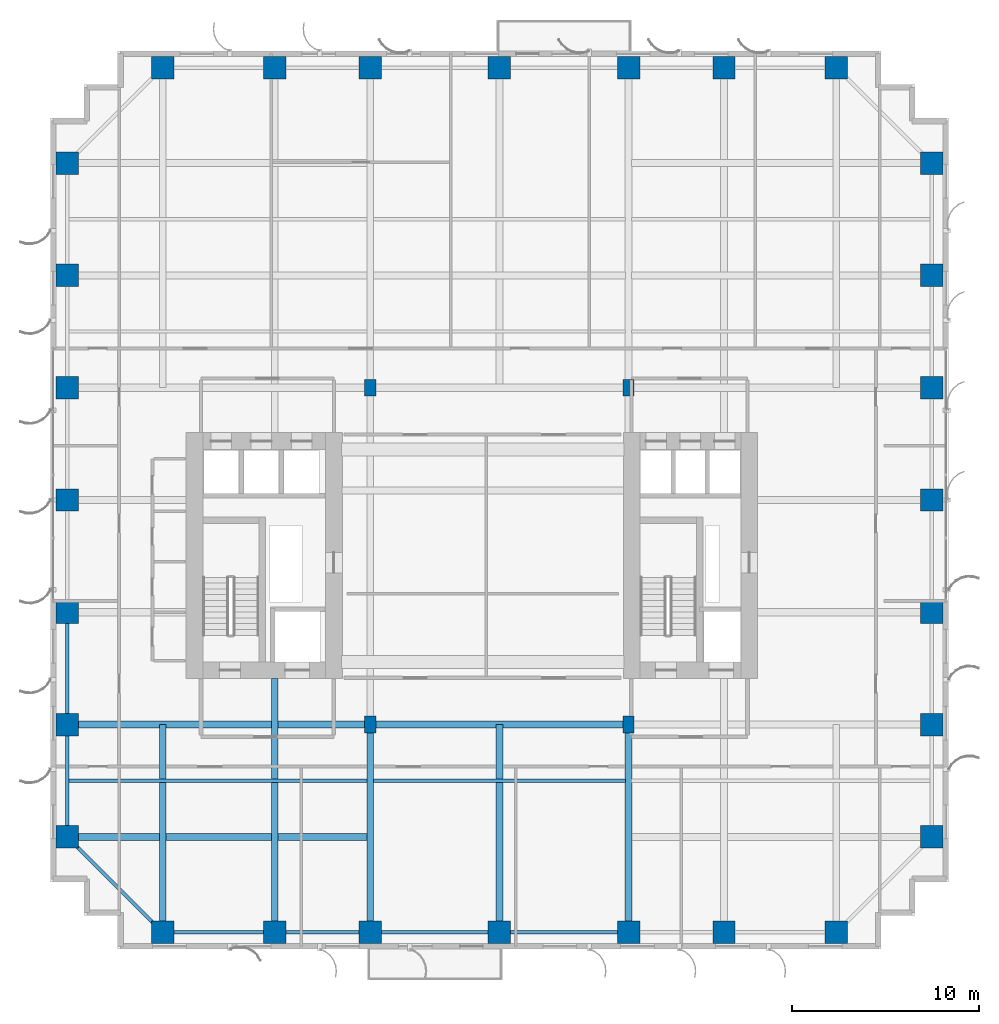
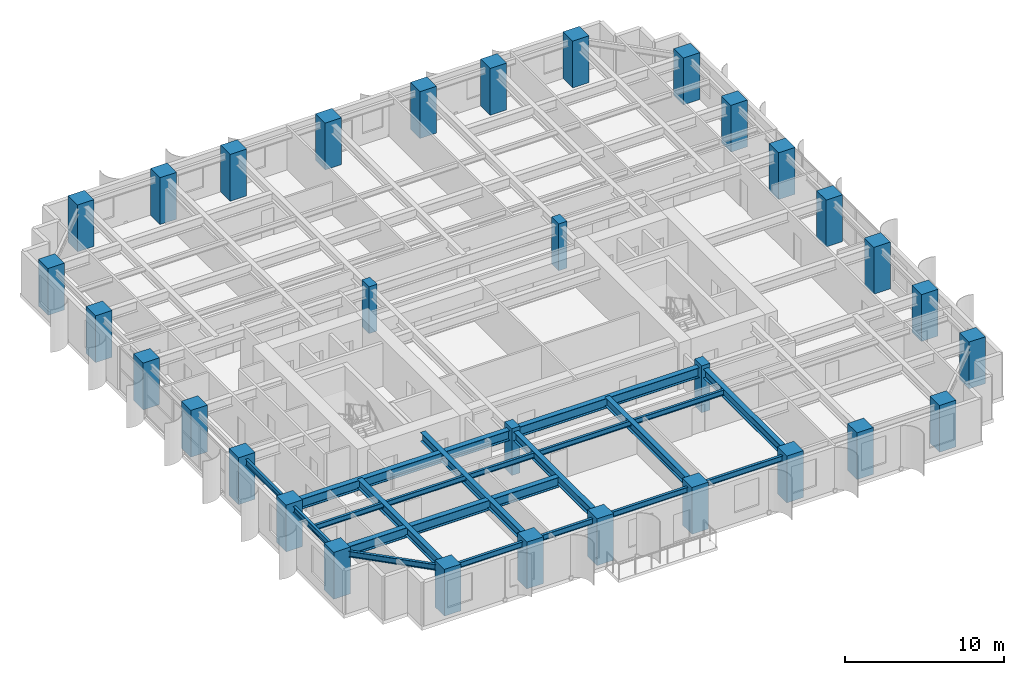
# One storey, part 1 of 16: 32 columns, 17 beams.
"""IFC4 building model written with IfcOpenShell, lengths in metres."""

from ifc_helpers import new_model, si_unit, direction, frame, origin, origin_2d, place, context, subcontext, project, spatial, rectangle, i_section, extrude, source, transform, mapped, material, material_profile, profile_set, type_object, element, save


model = new_model("IFC4")

# Units and contexts
model_context = context("Model", 3, precision=1e-05, world=origin(), true_north=direction((0.0, 1.0)))
body_context = subcontext(model_context, "Body", "Model", "MODEL_VIEW")
ifc_project = project(units=[si_unit("LENGTHUNIT", "METRE"), si_unit("AREAUNIT", "SQUARE_METRE"), si_unit("VOLUMEUNIT", "CUBIC_METRE"), si_unit("PLANEANGLEUNIT", "RADIAN"), si_unit("MASSUNIT", "GRAM", prefix="KILO")], contexts=[model_context])

# Site, building, storey
site_placement = place(None, origin())
site = spatial("IfcSite", under=ifc_project, at=site_placement, CompositionType="ELEMENT")
building_placement = place(site_placement, origin())
building = spatial("IfcBuilding", under=site, at=building_placement, Name="Khoralis Quay Care Tower", CompositionType="ELEMENT")
storey_placement = place(building_placement, frame((0.0, 0.0, 29.699951171875)))
storey = spatial("IfcBuildingStorey", under=building, at=storey_placement, Name="L07", CompositionType="ELEMENT", Elevation=29.699951171875)

# Columns
ifc_material_1 = material(Name="Concrete C80/95", Category="concrete")
ifc_material_profile_1 = material_profile(ifc_material_1, rectangle(XDim=1.199951171875, YDim=1.199951171875, at=origin_2d()), Name="Concrete C80/95")
ifc_profile_set_1 = profile_set([ifc_material_profile_1], Name="Concrete C80/95")
column_type_1 = type_object("IfcColumnType", Name="COL-C1200", PredefinedType="COLUMN", material=ifc_profile_set_1)
shared_shape_1 = source(origin(), body_context, "Body", "SweptSolid", [
    extrude(rectangle(XDim=1.199951171875, YDim=1.199951171875, at=origin_2d()), origin(), (0.0, 0.0, 1.0), 3.60009765625),
])
for number, where, z_axis, x_axis, name in (
    (1, (6.0, 0.89990234375, 0.0), (0.0, 0.0, 1.0), (1.0, 0.0, 0.0), "COL-TWR-L07-01"),
    (2, (6.0, 47.10009765625, 0.0), (0.0, 0.0, 1.0), (1.0, 0.0, 0.0), "COL-TWR-L07-02"),
    (3, (12.0, 0.89990234375, 0.0), (0.0, 0.0, 1.0), (1.0, 0.0, 0.0), "COL-TWR-L07-03"),
    (4, (12.0, 47.10009765625, 0.0), (0.0, 0.0, 1.0), (1.0, 0.0, 0.0), "COL-TWR-L07-04"),
    (5, (17.10009765625, 0.89990234375, 0.0), (0.0, 0.0, 1.0), (1.0, 0.0, 0.0), "COL-TWR-L07-05"),
    (6, (17.10009765625, 47.10009765625, 0.0), (0.0, 0.0, 1.0), (1.0, 0.0, 0.0), "COL-TWR-L07-06"),
    (7, (24.0, 0.89990234375, 0.0), (0.0, 0.0, 1.0), (1.0, 0.0, 0.0), "COL-TWR-L07-07"),
    (8, (24.0, 47.10009765625, 0.0), (0.0, 0.0, 1.0), (1.0, 0.0, 0.0), "COL-TWR-L07-08"),
    (9, (30.89990234375, 0.89990234375, 0.0), (0.0, 0.0, 1.0), (1.0, 0.0, 0.0), "COL-TWR-L07-09"),
    (10, (30.89990234375, 47.10009765625, 0.0), (0.0, 0.0, 1.0), (1.0, 0.0, 0.0), "COL-TWR-L07-10"),
    (11, (36.0, 0.89990234375, 0.0), (0.0, 0.0, 1.0), (1.0, 0.0, 0.0), "COL-TWR-L07-11"),
    (12, (36.0, 47.10009765625, 0.0), (0.0, 0.0, 1.0), (1.0, 0.0, 0.0), "COL-TWR-L07-12"),
    (13, (42.0, 0.89990234375, 0.0), (0.0, 0.0, 1.0), (1.0, 0.0, 0.0), "COL-TWR-L07-13"),
    (14, (42.0, 47.10009765625, 0.0), (0.0, 0.0, 1.0), (1.0, 0.0, 0.0), "COL-TWR-L07-14"),
    (15, (0.89990234375, 6.0, 0.0), (0.0, 0.0, 1.0), (1.0, 0.0, 0.0), "COL-TWR-L07-15"),
    (16, (47.10009765625, 6.0, 0.0), (0.0, 0.0, 1.0), (1.0, 0.0, 0.0), "COL-TWR-L07-16"),
    (17, (0.89990234375, 12.0, 0.0), (0.0, 0.0, 1.0), (1.0, 0.0, 0.0), "COL-TWR-L07-17"),
    (18, (47.10009765625, 12.0, 0.0), (0.0, 0.0, 1.0), (1.0, 0.0, 0.0), "COL-TWR-L07-18"),
    (19, (0.89990234375, 18.0, 0.0), (0.0, 0.0, 1.0), (1.0, 0.0, 0.0), "COL-TWR-L07-19"),
    (20, (47.10009765625, 18.0, 0.0), (0.0, 0.0, 1.0), (1.0, 0.0, 0.0), "COL-TWR-L07-20"),
    (21, (0.89990234375, 24.0, 0.0), (0.0, 0.0, 1.0), (1.0, 0.0, 0.0), "COL-TWR-L07-21"),
    (22, (47.10009765625, 24.0, 0.0), (0.0, 0.0, 1.0), (1.0, 0.0, 0.0), "COL-TWR-L07-22"),
    (23, (0.89990234375, 30.0, 0.0), (0.0, 0.0, 1.0), (1.0, 0.0, 0.0), "COL-TWR-L07-23"),
    (24, (47.10009765625, 30.0, 0.0), (0.0, 0.0, 1.0), (1.0, 0.0, 0.0), "COL-TWR-L07-24"),
    (25, (0.89990234375, 36.0, 0.0), (0.0, 0.0, 1.0), (1.0, 0.0, 0.0), "COL-TWR-L07-25"),
    (26, (47.10009765625, 36.0, 0.0), (0.0, 0.0, 1.0), (1.0, 0.0, 0.0), "COL-TWR-L07-26"),
    (27, (0.89990234375, 42.0, 0.0), (0.0, 0.0, 1.0), (1.0, 0.0, 0.0), "COL-TWR-L07-27"),
    (28, (47.10009765625, 42.0, 0.0), (0.0, 0.0, 1.0), (1.0, 0.0, 0.0), "COL-TWR-L07-28"),
):
    element("IfcColumn", number, at=place(storey_placement, frame(where, z_axis=z_axis, x_axis=x_axis)), inside=storey, type_object=column_type_1, Name=name, PredefinedType="COLUMN", context=body_context, shape_type="MappedRepresentation", body=[
        mapped(shared_shape_1, transform((0.0, 0.0, 0.0), scale=1.0)),
    ])
ifc_material_2 = material(Name="Concrete C65/80", Category="concrete")
ifc_material_profile_2 = material_profile(ifc_material_2, rectangle(XDim=0.60009765625, YDim=0.89990234375, at=origin_2d()), Name="Concrete C65/80")
ifc_profile_set_2 = profile_set([ifc_material_profile_2], Name="Concrete C65/80")
column_type_2 = type_object("IfcColumnType", Name="COL-C600X900", PredefinedType="COLUMN", material=ifc_profile_set_2)
shared_shape_2 = source(origin(), body_context, "Body", "SweptSolid", [
    extrude(rectangle(XDim=0.60009765625, YDim=0.89990234375, at=origin_2d()), origin(), (0.0, 0.0, 1.0), 3.60009765625),
])
for number, where, z_axis, x_axis, name in (
    (29, (17.10009765625, 12.0, 0.0), (0.0, 0.0, 1.0), (1.0, 0.0, 0.0), "COL-TWR-L07-29"),
    (30, (17.10009765625, 30.0, 0.0), (0.0, 0.0, 1.0), (1.0, 0.0, 0.0), "COL-TWR-L07-30"),
    (31, (30.89990234375, 12.0, 0.0), (0.0, 0.0, 1.0), (1.0, 0.0, 0.0), "COL-TWR-L07-31"),
    (32, (30.89990234375, 30.0, 0.0), (0.0, 0.0, 1.0), (1.0, 0.0, 0.0), "COL-TWR-L07-32"),
):
    element("IfcColumn", number, at=place(storey_placement, frame(where, z_axis=z_axis, x_axis=x_axis)), inside=storey, type_object=column_type_2, Name=name, PredefinedType="COLUMN", context=body_context, shape_type="MappedRepresentation", body=[
        mapped(shared_shape_2, transform((0.0, 0.0, 0.0), scale=1.0)),
    ])

# Beams
ifc_material_3 = material(Name="Steel S355", Category="steel")
ifc_material_profile_3 = material_profile(ifc_material_3, i_section(OverallWidth=0.18994140625, OverallDepth=0.449951171875, WebThickness=0.009521484375, FlangeThickness=0.0146484375, FilletRadius=0.02099609375, at=origin_2d()), Name="Steel S355")
ifc_profile_set_3 = profile_set([ifc_material_profile_3], Name="Steel S355")
beam_type_1 = type_object("IfcBeamType", Name="BM-IPE450", PredefinedType="SPANDREL", material=ifc_profile_set_3)
shared_shape_3 = source(origin(), body_context, "Body", "SweptSolid", [
    extrude(i_section(OverallWidth=0.18994140625, OverallDepth=0.449951171875, WebThickness=0.009521484375, FlangeThickness=0.0146484375, FilletRadius=0.02099609375, at=origin_2d()), origin(), (0.0, 0.0, 1.0), 6.0),
])
for number, where, z_axis, x_axis, name in (
    (33, (6.0, 0.89990234375, 3.094970703125), (1.0, 0.0, 0.0), (0.0, 1.0, 0.0), "BM-TSP-L07-01"),
    (34, (0.89990234375, 6.0, 3.094970703125), (0.0, 1.0, 0.0), (-1.0, 0.0, 0.0), "BM-TSP-L07-13"),
    (35, (0.89990234375, 12.0, 3.094970703125), (0.0, 1.0, 0.0), (-1.0, 0.0, 0.0), "BM-TSP-L07-14"),
):
    element("IfcBeam", number, at=place(storey_placement, frame(where, z_axis=z_axis, x_axis=x_axis)), inside=storey, type_object=beam_type_1, Name=name, PredefinedType="SPANDREL", context=body_context, shape_type="MappedRepresentation", body=[
        mapped(shared_shape_3, transform((0.0, 0.0, 0.0), scale=1.0)),
    ])
shared_shape_4 = source(origin(), body_context, "Body", "SweptSolid", [
    extrude(i_section(OverallWidth=0.18994140625, OverallDepth=0.449951171875, WebThickness=0.009521484375, FlangeThickness=0.0146484375, FilletRadius=0.02099609375, at=origin_2d()), origin(), (0.0, 0.0, 1.0), 5.10009765625),
])
beam_1_placement = place(storey_placement, frame((12.0, 0.89990234375, 3.094970703125), z_axis=(1.0, 0.0, 0.0), x_axis=(0.0, 1.0, 0.0)))
element("IfcBeam", 36, at=beam_1_placement, inside=storey, type_object=beam_type_1, Name="BM-TSP-L07-02", PredefinedType="SPANDREL", context=body_context, shape_type="MappedRepresentation", body=[
    mapped(shared_shape_4, transform((0.0, 0.0, 0.0), scale=1.0)),
])
shared_shape_5 = source(origin(), body_context, "Body", "SweptSolid", [
    extrude(i_section(OverallWidth=0.18994140625, OverallDepth=0.449951171875, WebThickness=0.009521484375, FlangeThickness=0.0146484375, FilletRadius=0.02099609375, at=origin_2d()), origin(), (0.0, 0.0, 1.0), 6.89990234375),
])
for number, where, z_axis, x_axis, name in (
    (37, (17.10009765625, 0.89990234375, 3.094970703125), (1.0, 0.0, 0.0), (0.0, 1.0, 0.0), "BM-TSP-L07-03"),
    (38, (24.0, 0.89990234375, 3.094970703125), (1.0, 0.0, 0.0), (0.0, 1.0, 0.0), "BM-TSP-L07-04"),
):
    element("IfcBeam", number, at=place(storey_placement, frame(where, z_axis=z_axis, x_axis=x_axis)), inside=storey, type_object=beam_type_1, Name=name, PredefinedType="SPANDREL", context=body_context, shape_type="MappedRepresentation", body=[
        mapped(shared_shape_5, transform((0.0, 0.0, 0.0), scale=1.0)),
    ])
shared_shape_6 = source(origin(), body_context, "Body", "SweptSolid", [
    extrude(i_section(OverallWidth=0.18994140625, OverallDepth=0.449951171875, WebThickness=0.009521484375, FlangeThickness=0.0146484375, FilletRadius=0.02099609375, at=origin_2d()), origin(), (0.0, 0.0, 1.0), 7.212646484375),
])
beam_2_placement = place(storey_placement, frame((6.0, 0.89990234375, 3.094970703125), z_axis=(-0.707106781187, 0.707106781187, 0.0), x_axis=(-0.707106781187, -0.707106781187, 0.0)))
element("IfcBeam", 39, at=beam_2_placement, inside=storey, type_object=beam_type_1, Name="BM-TCR-L07-25", PredefinedType="SPANDREL", context=body_context, shape_type="MappedRepresentation", body=[
    mapped(shared_shape_6, transform((0.0, 0.0, 0.0), scale=1.0)),
])
ifc_material_profile_4 = material_profile(ifc_material_3, i_section(OverallWidth=0.381103515625, OverallDepth=0.77294921875, WebThickness=0.0166015625, FlangeThickness=0.027587890625, FilletRadius=0.02197265625, at=origin_2d()), Name="Steel S355")
ifc_profile_set_4 = profile_set([ifc_material_profile_4], Name="Steel S355")
beam_type_2 = type_object("IfcBeamType", Name="BM-W760X257", PredefinedType="BEAM", material=ifc_profile_set_4)
shared_shape_7 = source(origin(), body_context, "Body", "SweptSolid", [
    extrude(i_section(OverallWidth=0.381103515625, OverallDepth=0.77294921875, WebThickness=0.0166015625, FlangeThickness=0.027587890625, FilletRadius=0.02197265625, at=origin_2d()), origin(), (0.0, 0.0, 1.0), 16.03466796875),
])
beam_3_placement = place(storey_placement, frame((0.89990234375, 6.0, 2.93359375), z_axis=(1.0, 0.0, 0.0), x_axis=(0.0, 1.0, 0.0)))
element("IfcBeam", 40, at=beam_3_placement, inside=storey, type_object=beam_type_2, Name="BM-TGXW-L07-60", PredefinedType="BEAM", context=body_context, shape_type="MappedRepresentation", body=[
    mapped(shared_shape_7, transform((0.0, 0.0, 0.0), scale=1.0)),
])
shared_shape_8 = source(origin(), body_context, "Body", "SweptSolid", [
    extrude(i_section(OverallWidth=0.381103515625, OverallDepth=0.77294921875, WebThickness=0.0166015625, FlangeThickness=0.027587890625, FilletRadius=0.02197265625, at=origin_2d()), origin(), (0.0, 0.0, 1.0), 16.2001953125),
])
beam_4_placement = place(storey_placement, frame((0.89990234375, 12.0, 2.93359375), z_axis=(1.0, 0.0, 0.0), x_axis=(0.0, 1.0, 0.0)))
element("IfcBeam", 41, at=beam_4_placement, inside=storey, type_object=beam_type_2, Name="BM-TGXW-L07-120", PredefinedType="BEAM", context=body_context, shape_type="MappedRepresentation", body=[
    mapped(shared_shape_8, transform((0.0, 0.0, 0.0), scale=1.0)),
])
shared_shape_9 = source(origin(), body_context, "Body", "SweptSolid", [
    extrude(i_section(OverallWidth=0.381103515625, OverallDepth=0.77294921875, WebThickness=0.0166015625, FlangeThickness=0.027587890625, FilletRadius=0.02197265625, at=origin_2d()), origin(), (0.0, 0.0, 1.0), 13.7998046875),
])
beam_5_placement = place(storey_placement, frame((17.10009765625, 12.0, 2.93359375), z_axis=(1.0, 0.0, 0.0), x_axis=(0.0, 1.0, 0.0)))
element("IfcBeam", 42, at=beam_5_placement, inside=storey, type_object=beam_type_2, Name="BM-TGCC-L07-120", PredefinedType="BEAM", context=body_context, shape_type="MappedRepresentation", body=[
    mapped(shared_shape_9, transform((0.0, 0.0, 0.0), scale=1.0)),
])
ifc_material_profile_5 = material_profile(ifc_material_3, i_section(OverallWidth=0.35498046875, OverallDepth=0.695068359375, WebThickness=0.015380859375, FlangeThickness=0.02490234375, FilletRadius=0.02001953125, at=origin_2d()), Name="Steel S355")
ifc_profile_set_5 = profile_set([ifc_material_profile_5], Name="Steel S355")
beam_type_3 = type_object("IfcBeamType", Name="BM-W690X217", PredefinedType="BEAM", material=ifc_profile_set_5)
shared_shape_10 = source(origin(), body_context, "Body", "SweptSolid", [
    extrude(i_section(OverallWidth=0.35498046875, OverallDepth=0.695068359375, WebThickness=0.015380859375, FlangeThickness=0.02490234375, FilletRadius=0.02001953125, at=origin_2d()), origin(), (0.0, 0.0, 1.0), 11.10009765625),
])
for number, where, z_axis, x_axis, name in (
    (43, (6.0, 0.89990234375, 2.97265625), (0.0, 1.0, 0.0), (-1.0, 0.0, 0.0), "BM-TGYS-L07-60"),
    (44, (17.10009765625, 0.89990234375, 2.97265625), (0.0, 1.0, 0.0), (-1.0, 0.0, 0.0), "BM-TGYS-L07-171"),
    (45, (24.0, 0.89990234375, 2.97265625), (0.0, 1.0, 0.0), (-1.0, 0.0, 0.0), "BM-TGYS-L07-240"),
    (46, (30.89990234375, 0.89990234375, 2.97265625), (0.0, 1.0, 0.0), (-1.0, 0.0, 0.0), "BM-TGYS-L07-309"),
):
    element("IfcBeam", number, at=place(storey_placement, frame(where, z_axis=z_axis, x_axis=x_axis)), inside=storey, type_object=beam_type_3, Name=name, PredefinedType="BEAM", context=body_context, shape_type="MappedRepresentation", body=[
        mapped(shared_shape_10, transform((0.0, 0.0, 0.0), scale=1.0)),
    ])
shared_shape_11 = source(origin(), body_context, "Body", "SweptSolid", [
    extrude(i_section(OverallWidth=0.35498046875, OverallDepth=0.695068359375, WebThickness=0.015380859375, FlangeThickness=0.02490234375, FilletRadius=0.02001953125, at=origin_2d()), origin(), (0.0, 0.0, 1.0), 13.552001953125),
])
beam_6_placement = place(storey_placement, frame((12.0, 0.89990234375, 2.97265625), z_axis=(0.0, 1.0, 0.0), x_axis=(-1.0, 0.0, 0.0)))
element("IfcBeam", 47, at=beam_6_placement, inside=storey, type_object=beam_type_3, Name="BM-TGYS-L07-120", PredefinedType="BEAM", context=body_context, shape_type="MappedRepresentation", body=[
    mapped(shared_shape_11, transform((0.0, 0.0, 0.0), scale=1.0)),
])
ifc_material_profile_6 = material_profile(ifc_material_3, i_section(OverallWidth=0.177978515625, OverallDepth=0.406982421875, WebThickness=0.0078125, FlangeThickness=0.0126953125, FilletRadius=0.012939453125, at=origin_2d()), Name="Steel S355")
ifc_profile_set_6 = profile_set([ifc_material_profile_6], Name="Steel S355")
beam_type_4 = type_object("IfcBeamType", Name="BM-W410X60", PredefinedType="JOIST", material=ifc_profile_set_6)
shared_shape_12 = source(origin(), body_context, "Body", "SweptSolid", [
    extrude(i_section(OverallWidth=0.177978515625, OverallDepth=0.406982421875, WebThickness=0.0078125, FlangeThickness=0.0126953125, FilletRadius=0.012939453125, at=origin_2d()), origin(), (0.0, 0.0, 1.0), 15.95361328125),
])
beam_7_placement = place(storey_placement, frame((0.98095703125, 9.0, 3.116455078125), z_axis=(1.0, 0.0, 0.0), x_axis=(0.0, 1.0, 0.0)))
element("IfcBeam", 48, at=beam_7_placement, inside=storey, type_object=beam_type_4, Name="BM-TJS-L07-29", PredefinedType="JOIST", context=body_context, shape_type="MappedRepresentation", body=[
    mapped(shared_shape_12, transform((0.0, 0.0, 0.0), scale=1.0)),
])
shared_shape_13 = source(origin(), body_context, "Body", "SweptSolid", [
    extrude(i_section(OverallWidth=0.177978515625, OverallDepth=0.406982421875, WebThickness=0.0078125, FlangeThickness=0.0126953125, FilletRadius=0.012939453125, at=origin_2d()), origin(), (0.0, 0.0, 1.0), 13.46923828125),
])
beam_8_placement = place(storey_placement, frame((17.265380859375, 9.0, 3.116455078125), z_axis=(1.0, 0.0, 0.0), x_axis=(0.0, 1.0, 0.0)))
element("IfcBeam", 49, at=beam_8_placement, inside=storey, type_object=beam_type_4, Name="BM-TJS-L07-31", PredefinedType="JOIST", context=body_context, shape_type="MappedRepresentation", body=[
    mapped(shared_shape_13, transform((0.0, 0.0, 0.0), scale=1.0)),
])

save(model, "model.ifc")
